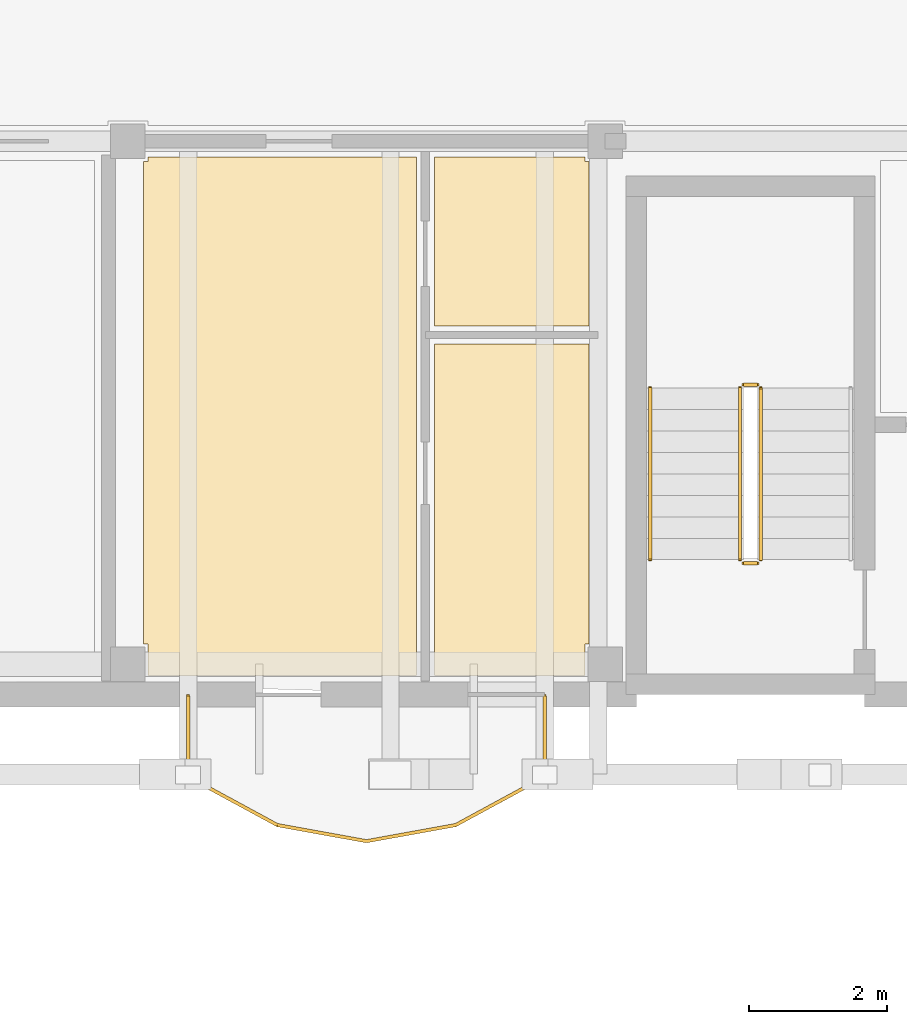
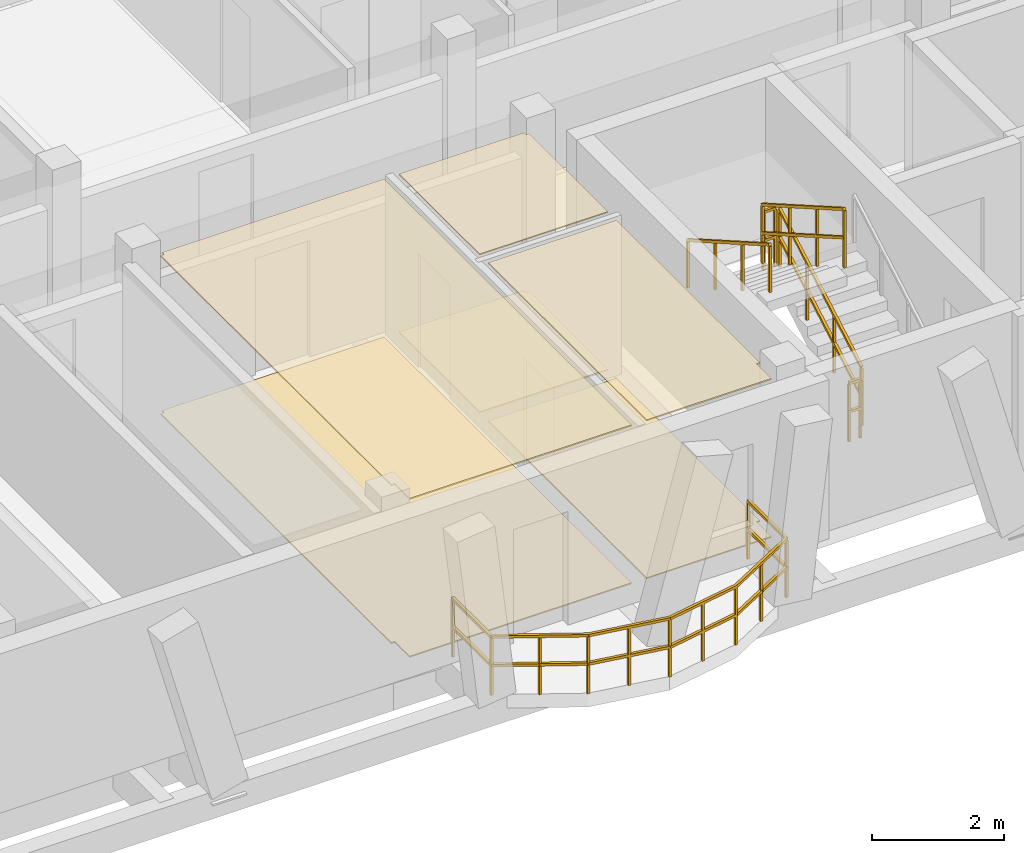
# One storey, part 95 of 109: 6 coverings, 6 railings.
"""IFC4 building model written with IfcOpenShell, lengths in metres."""

import ifcopenshell
import ifcopenshell.guid

model = None  # the IFC model being written
_history = None  # IfcOwnerHistory: only IFC2X3 demands one
_inside = {}  # id of a spatial element -> (the spatial element, [elements in it])
_under = {}  # id of a project, library or spatial element -> (it, [spatial elements below it])
_declared = {}  # id of a project -> (the project, [libraries it declares])
_typed = {}  # id of a type object -> (the type object, [elements of that type])
_made_of = {}  # id of a material, layer set ... -> (it, [elements and type objects made of it])


def new_model(schema):
    """Start an empty IFC model of exactly this schema.

    Asked for "IFC4X3", IfcOpenShell would pick the latest addendum, in which some entities
    have other attributes; the version numbers below select the first issue.
    IFC2X3 requires an IfcOwnerHistory on every rooted entity: one is made here for all.
    """
    global model, _history
    if schema == "IFC4X3":
        model = ifcopenshell.file(schema_version=(4, 3, 0, 0))
    else:
        model = ifcopenshell.file(schema=schema)
    _inside.clear()
    _under.clear()
    _declared.clear()
    _typed.clear()
    _made_of.clear()
    _history = None
    if model.schema == "IFC2X3":
        org = make("IfcOrganization", Name="unknown")
        user = make(
            "IfcPersonAndOrganization",
            ThePerson=make("IfcPerson", FamilyName="unknown"),
            TheOrganization=org,
        )
        app = make(
            "IfcApplication",
            ApplicationDeveloper=org,
            Version="unknown",
            ApplicationFullName="unknown",
            ApplicationIdentifier="unknown",
        )
        _history = make(
            "IfcOwnerHistory",
            OwningUser=user,
            OwningApplication=app,
            ChangeAction="ADDED",
            CreationDate=0,
        )
    return model


def make(cls, **values):
    """One entity of the class cls with the attributes given. An attribute that is None is left unset."""
    return model.create_entity(
        cls, **{name: value for name, value in values.items() if value is not None}
    )


def rooted(cls, **values):
    """An entity with a GlobalId (a new one), such as an element, a storey or a relation."""
    return make(cls, GlobalId=ifcopenshell.guid.new(), OwnerHistory=_history, **values)


def si_unit(unit_type, name, prefix=None):
    """IfcSIUnit, for example si_unit("LENGTHUNIT", "METRE", prefix="MILLI")."""
    return make("IfcSIUnit", UnitType=unit_type, Prefix=prefix, Name=name)


def assignment(units):
    """IfcUnitAssignment: the units of a project."""
    return None if units is None else make("IfcUnitAssignment", Units=units)


def point(xyz):
    """IfcCartesianPoint."""
    return None if xyz is None else make("IfcCartesianPoint", Coordinates=xyz)


def direction(xyz):
    """IfcDirection."""
    return None if xyz is None else make("IfcDirection", DirectionRatios=xyz)


def frame(location, z_axis=None, x_axis=None):
    """IfcAxis2Placement3D, a coordinate frame: its origin and axes. An axis left out is left unset."""
    return make(
        "IfcAxis2Placement3D",
        Location=point(location),
        Axis=direction(z_axis),
        RefDirection=direction(x_axis),
    )


def frame_2d(location, x_axis=None):
    """IfcAxis2Placement2D, a coordinate frame in the plane: its origin and x axis."""
    return make(
        "IfcAxis2Placement2D", Location=point(location), RefDirection=direction(x_axis)
    )


def origin():
    """The frame at (0, 0, 0) with its axes left unset."""
    return frame((0.0, 0.0, 0.0))


def origin_2d():
    """The frame at (0, 0) in the plane with its x axis left unset."""
    return frame_2d((0.0, 0.0))


def place(relative_to, where):
    """IfcLocalPlacement: puts the frame where relative to a parent placement (None: the world)."""
    return make(
        "IfcLocalPlacement", PlacementRelTo=relative_to, RelativePlacement=where
    )


def context(
    kind, dimensions, precision=None, world=None, true_north=None, identifier=None
):
    """IfcGeometricRepresentationContext, for example the 3D "Model" context."""
    return make(
        "IfcGeometricRepresentationContext",
        ContextIdentifier=identifier,
        ContextType=kind,
        CoordinateSpaceDimension=dimensions,
        Precision=precision,
        WorldCoordinateSystem=world,
        TrueNorth=true_north,
    )


def subcontext(parent, identifier, kind, view, scale=None):
    """IfcGeometricRepresentationSubContext, for example "Body" below "Model"."""
    return make(
        "IfcGeometricRepresentationSubContext",
        ContextIdentifier=identifier,
        ContextType=kind,
        ParentContext=parent,
        TargetScale=scale,
        TargetView=view,
    )


def project(units=None, contexts=None):
    """IfcProject with its units and contexts."""
    return rooted(
        "IfcProject",
        Name="project",
        RepresentationContexts=contexts,
        UnitsInContext=assignment(units),
    )


def spatial(cls, under=None, at=None, **own):
    """A site, building, storey or space (cls), placed at a placement, below another one or the project."""
    s = rooted(cls, ObjectPlacement=at, **own)
    if under is not None:
        _under.setdefault(under.id(), (under, []))[1].append(s)
    return s


def polyline(points):
    """IfcPolyline through the points."""
    return make("IfcPolyline", Points=[point(p) for p in points])


def profile(cls, at=None, kind="AREA", **sizes):
    """A parametric profile (cls). Its sizes go by their IFC names, for example OverallWidth=200.0."""
    return make(cls, ProfileType=kind, Position=at, **sizes)


def rectangle(**sizes):
    """IfcRectangleProfileDef."""
    return profile("IfcRectangleProfileDef", **sizes)


def outline(outer, holes=None, kind="AREA"):
    """IfcArbitraryClosedProfileDef: a profile drawn as a closed curve; with holes, ...WithVoids."""
    if holes is None:
        return make("IfcArbitraryClosedProfileDef", ProfileType=kind, OuterCurve=outer)
    return make(
        "IfcArbitraryProfileDefWithVoids",
        ProfileType=kind,
        OuterCurve=outer,
        InnerCurves=holes,
    )


def extrude(swept, where, along, depth):
    """IfcExtrudedAreaSolid: the profile swept, set in the frame where, extruded along a direction by depth."""
    return make(
        "IfcExtrudedAreaSolid",
        SweptArea=swept,
        Position=where,
        ExtrudedDirection=direction(along),
        Depth=depth,
    )


def shape(context_of_items, identifier, shape_type, items):
    """IfcShapeRepresentation: the items that make up one representation, for example the "Body"."""
    return make(
        "IfcShapeRepresentation",
        ContextOfItems=context_of_items,
        RepresentationIdentifier=identifier,
        RepresentationType=shape_type,
        Items=items,
    )


def material(Name=None, Category=None):
    """IfcMaterial."""
    return make("IfcMaterial", Name=Name, Category=Category)


def layer(
    of_material, thickness, ventilated=None, Name=None, Category=None, Priority=None
):
    """IfcMaterialLayer: one layer of a wall or slab, of a material (None: an air gap)."""
    return make(
        "IfcMaterialLayer",
        Material=of_material,
        LayerThickness=thickness,
        IsVentilated=ventilated,
        Name=Name,
        Category=Category,
        Priority=Priority,
    )


def layer_set(layers, Name=None):
    """IfcMaterialLayerSet."""
    return make("IfcMaterialLayerSet", MaterialLayers=layers, LayerSetName=Name)


def made_of(thing, what):
    """Note that an element or type object is made of a material, layer set ...; save() writes the relation."""
    if what is not None:
        _made_of.setdefault(what.id(), (what, []))[1].append(thing)
    return thing


def type_object(cls, material=None, **own):
    """A type object (cls), such as IfcWallType, which elements share."""
    return made_of(rooted(cls, **own), material)


def element(
    cls,
    number,
    at=None,
    inside=None,
    cuts=None,
    type_object=None,
    material=None,
    context=None,
    identifier="Body",
    shape_type=None,
    held_by="IfcProductDefinitionShape",
    body=None,
    shapes=None,
    **own,
):
    """One element of the class cls, such as IfcWall. Its Tag is "e" and its number.

    at: its placement. inside: the storey or other place that contains it. cuts: it is an
    opening in that element (IfcRelVoidsElement). A single representation is given by context,
    identifier, shape_type and body (its items); several are given by shapes. held_by: the class
    of the entity that holds the representations. save() writes the other relations.
    """
    e = rooted(cls, Tag="e%d" % number, ObjectPlacement=at, **own)
    if body is not None:
        shapes = [shape(context, identifier, shape_type, body)]
    if shapes is not None:
        e.Representation = make(held_by, Representations=shapes)
    if inside is not None:
        _inside.setdefault(inside.id(), (inside, []))[1].append(e)
    if cuts is not None:
        rooted(
            "IfcRelVoidsElement", RelatingBuildingElement=cuts, RelatedOpeningElement=e
        )
    if type_object is not None:
        _typed.setdefault(type_object.id(), (type_object, []))[1].append(e)
    return made_of(e, material)


def aggregate(whole, parts):
    """IfcRelAggregates: a whole, such as a stair, and the parts it consists of."""
    return rooted("IfcRelAggregates", RelatingObject=whole, RelatedObjects=parts)


def save(model, path):
    """Write the relations noted so far, then the file.

    IfcRelAggregates (storeys below a building ...), IfcRelContainedInSpatialStructure (elements
    in a storey), IfcRelDefinesByType, IfcRelAssociatesMaterial and IfcRelDeclares: one each for
    every whole, place, type object, material and project.
    """
    for whole, parts in _under.values():
        aggregate(whole, parts)
    for where, things in _inside.values():
        rooted(
            "IfcRelContainedInSpatialStructure",
            RelatedElements=things,
            RelatingStructure=where,
        )
    for kind, things in _typed.values():
        rooted("IfcRelDefinesByType", RelatedObjects=things, RelatingType=kind)
    for what, things in _made_of.values():
        rooted("IfcRelAssociatesMaterial", RelatedObjects=things, RelatingMaterial=what)
    for by, libraries in _declared.values():
        rooted("IfcRelDeclares", RelatingContext=by, RelatedDefinitions=libraries)
    model.write(path)


model = new_model("IFC4")

# Units and contexts
model_context = context("Model", 3, precision=1e-05, world=origin(), true_north=direction((0.0, 1.0)))
body_context = subcontext(model_context, "Body", "Model", "MODEL_VIEW")
ifc_project = project(units=[si_unit("LENGTHUNIT", "METRE"), si_unit("AREAUNIT", "SQUARE_METRE"), si_unit("VOLUMEUNIT", "CUBIC_METRE"), si_unit("PLANEANGLEUNIT", "RADIAN"), si_unit("MASSUNIT", "GRAM", prefix="KILO")], contexts=[model_context])

# Site, building, storey
site_placement = place(None, origin())
site = spatial("IfcSite", under=ifc_project, at=site_placement, CompositionType="ELEMENT")
building_placement = place(site_placement, origin())
building = spatial("IfcBuilding", under=site, at=building_placement, Name="Zavelmont Quarter", CompositionType="ELEMENT")
storey_placement = place(building_placement, frame((0.0, 0.0, 8.0)))
storey = spatial("IfcBuildingStorey", under=building, at=storey_placement, Name="L02", CompositionType="ELEMENT", Elevation=8.0)

# Coverings
ifc_material_1 = material(Name="Perforated acoustic gypsum board")
ifc_layer_1 = layer(ifc_material_1, 0.02490234375)
ifc_layer_set_1 = layer_set([ifc_layer_1], Name="Perforated acoustic gypsum board")
covering_type_1 = type_object("IfcCoveringType", Name="CV-CL01", PredefinedType="CEILING", material=ifc_layer_set_1)
covering_1_placement = place(storey_placement, frame((0.0, 0.0, 2.9150390625)))
element("IfcCovering", 1, at=covering_1_placement, inside=storey, type_object=covering_type_1, Name="L02 Residents Study Lounge acoustic ceiling", PredefinedType="CEILING", context=body_context, shape_type="SweptSolid", body=[
    extrude(outline(polyline([(20.929931640625, 105.31005859375), (20.989990234375, 105.31005859375), (20.989990234375, 105.3701171875), (24.8701171875, 105.3701171875), (24.8701171875, 97.8798828125), (20.989990234375, 97.8798828125), (20.989990234375, 98.330078125), (20.929931640625, 98.330078125), (20.929931640625, 105.31005859375)])), origin(), (0.0, 0.0, 1.0), 0.02490234375),
])
covering_2_placement = place(storey_placement, frame((0.0, 0.0, 2.9150390625)))
element("IfcCovering", 2, at=covering_2_placement, inside=storey, type_object=covering_type_1, Name="L02 Reading Alcove acoustic ceiling", PredefinedType="CEILING", context=body_context, shape_type="SweptSolid", body=[
    extrude(outline(polyline([(25.1298828125, 102.669921875), (27.3701171875, 102.669921875), (27.3701171875, 98.330078125), (27.31005859375, 98.330078125), (27.31005859375, 97.8798828125), (25.1298828125, 97.8798828125), (25.1298828125, 102.669921875)])), origin(), (0.0, 0.0, 1.0), 0.02490234375),
])
ifc_material_2 = material(Name="Moisture-resistant painted gypsum ceiling")
ifc_layer_2 = layer(ifc_material_2, 0.02001953125)
ifc_layer_set_2 = layer_set([ifc_layer_2], Name="Moisture-resistant painted gypsum ceiling")
covering_type_2 = type_object("IfcCoveringType", Name="CV-CL04", PredefinedType="CEILING", material=ifc_layer_set_2)
covering_3_placement = place(storey_placement, frame((0.0, 0.0, 2.919921875)))
element("IfcCovering", 3, at=covering_3_placement, inside=storey, type_object=covering_type_2, Name="L02 Accessible Toilet acoustic ceiling", PredefinedType="CEILING", context=body_context, shape_type="SweptSolid", body=[
    extrude(outline(polyline([(25.1298828125, 105.3701171875), (27.31005859375, 105.3701171875), (27.31005859375, 105.31005859375), (27.3701171875, 105.31005859375), (27.3701171875, 102.929931640625), (25.1298828125, 102.929931640625), (25.1298828125, 105.3701171875)])), origin(), (0.0, 0.0, 1.0), 0.02001953125),
])
ifc_material_3 = material(Name="Engineered European oak parquet")
ifc_layer_3 = layer(ifc_material_3, 0.02197265625)
ifc_layer_set_3 = layer_set([ifc_layer_3], Name="Engineered European oak parquet")
covering_type_3 = type_object("IfcCoveringType", Name="CV-FL01", PredefinedType="FLOORING", material=ifc_layer_set_3)
covering_4_placement = place(storey_placement, origin())
element("IfcCovering", 4, at=covering_4_placement, inside=storey, type_object=covering_type_3, Name="L02 Residents Study Lounge floor finish", PredefinedType="FLOORING", context=body_context, shape_type="SweptSolid", body=[
    extrude(outline(polyline([(20.929931640625, 105.31005859375), (20.989990234375, 105.31005859375), (20.989990234375, 105.3701171875), (24.8701171875, 105.3701171875), (24.8701171875, 97.8798828125), (20.989990234375, 97.8798828125), (20.989990234375, 98.330078125), (20.929931640625, 98.330078125), (20.929931640625, 105.31005859375)])), origin(), (0.0, 0.0, 1.0), 0.02197265625),
])
covering_5_placement = place(storey_placement, origin())
element("IfcCovering", 5, at=covering_5_placement, inside=storey, type_object=covering_type_3, Name="L02 Reading Alcove floor finish", PredefinedType="FLOORING", context=body_context, shape_type="SweptSolid", body=[
    extrude(outline(polyline([(25.1298828125, 102.669921875), (27.3701171875, 102.669921875), (27.3701171875, 98.330078125), (27.31005859375, 98.330078125), (27.31005859375, 97.8798828125), (25.1298828125, 97.8798828125), (25.1298828125, 102.669921875)])), origin(), (0.0, 0.0, 1.0), 0.02197265625),
])
ifc_material_4 = material(Name="Slip-resistant porcelain tile")
ifc_layer_4 = layer(ifc_material_4, 0.02587890625)
ifc_layer_set_4 = layer_set([ifc_layer_4], Name="Slip-resistant porcelain tile")
covering_type_4 = type_object("IfcCoveringType", Name="CV-FL04", PredefinedType="FLOORING", material=ifc_layer_set_4)
covering_6_placement = place(storey_placement, origin())
element("IfcCovering", 6, at=covering_6_placement, inside=storey, type_object=covering_type_4, Name="L02 Accessible Toilet floor finish", PredefinedType="FLOORING", context=body_context, shape_type="SweptSolid", body=[
    extrude(outline(polyline([(25.1298828125, 105.3701171875), (27.31005859375, 105.3701171875), (27.31005859375, 105.31005859375), (27.3701171875, 105.31005859375), (27.3701171875, 102.929931640625), (25.1298828125, 102.929931640625), (25.1298828125, 105.3701171875)])), origin(), (0.0, 0.0, 1.0), 0.02587890625),
])

# Railings
ifc_material_5 = material(Name="Powder-coated steel and tempered double safety glass", Category="steel")
railing_type_1 = type_object("IfcRailingType", Name="RL-BAL1", PredefinedType="BALUSTRADE", material=ifc_material_5)
railing_1_placement = place(storey_placement, frame((21.572509765625, 97.580078125, 0.0)))
element("IfcRailing", 7, at=railing_1_placement, inside=storey, type_object=railing_type_1, Name="L02 Block B curved balcony guard RL-BAL1", PredefinedType="BALUSTRADE", context=body_context, shape_type="SweptSolid", body=[
    extrude(rectangle(XDim=0.048095703125, YDim=0.048095703125, at=origin_2d()), frame((0.0, 0.0, 1.076171875), z_axis=(0.0, -1.0, 0.0), x_axis=(1.0, 0.0, 0.0)), (0.0, 0.0, 1.0), 1.166748046875),
    extrude(rectangle(XDim=0.048095703125, YDim=0.048095703125, at=origin_2d()), frame((0.0, 0.0, 0.550048828125), z_axis=(0.0, -1.0, 0.0), x_axis=(1.0, 0.0, 0.0)), (0.0, 0.0, 1.0), 1.166748046875),
    extrude(rectangle(XDim=0.048095703125, YDim=0.048095703125, at=origin_2d()), frame((0.0, -1.166748046875, 1.076171875), z_axis=(0.878937207337, -0.476937506975, 0.0), x_axis=(0.476937506975, 0.878937207337, 0.0)), (0.0, 0.0, 1.0), 1.466064453125),
    extrude(rectangle(XDim=0.048095703125, YDim=0.048095703125, at=origin_2d()), frame((0.0, -1.166748046875, 0.550048828125), z_axis=(0.878937207337, -0.476937506975, 0.0), x_axis=(0.476937506975, 0.878937207337, 0.0)), (0.0, 0.0, 1.0), 1.466064453125),
    extrude(rectangle(XDim=0.048095703125, YDim=0.048095703125, at=origin_2d()), frame((1.28857421875, -1.865966796875, 1.076171875), z_axis=(0.984027596719, -0.178015979327, 0.0), x_axis=(0.178015979327, 0.984027596719, 0.0)), (0.0, 0.0, 1.0), 1.309814453125),
    extrude(rectangle(XDim=0.048095703125, YDim=0.048095703125, at=origin_2d()), frame((1.28857421875, -1.865966796875, 0.550048828125), z_axis=(0.984027596719, -0.178015979327, 0.0), x_axis=(0.178015979327, 0.984027596719, 0.0)), (0.0, 0.0, 1.0), 1.309814453125),
    extrude(rectangle(XDim=0.048095703125, YDim=0.048095703125, at=origin_2d()), frame((2.577392578125, -2.09912109375, 1.076171875), z_axis=(0.984027596719, 0.178015979327, 0.0), x_axis=(-0.178015979327, 0.984027596719, 0.0)), (0.0, 0.0, 1.0), 1.309814453125),
    extrude(rectangle(XDim=0.048095703125, YDim=0.048095703125, at=origin_2d()), frame((2.577392578125, -2.09912109375, 0.550048828125), z_axis=(0.984027596719, 0.178015979327, 0.0), x_axis=(-0.178015979327, 0.984027596719, 0.0)), (0.0, 0.0, 1.0), 1.309814453125),
    extrude(rectangle(XDim=0.048095703125, YDim=0.048095703125, at=origin_2d()), frame((3.8662109375, -1.865966796875, 1.076171875), z_axis=(0.878975079148, 0.47686770727, 0.0), x_axis=(-0.47686770727, 0.878975079148, 0.0)), (0.0, 0.0, 1.0), 1.46630859375),
    extrude(rectangle(XDim=0.048095703125, YDim=0.048095703125, at=origin_2d()), frame((3.8662109375, -1.865966796875, 0.550048828125), z_axis=(0.878975079148, 0.47686770727, 0.0), x_axis=(-0.47686770727, 0.878975079148, 0.0)), (0.0, 0.0, 1.0), 1.46630859375),
    extrude(rectangle(XDim=0.048095703125, YDim=0.048095703125, at=origin_2d()), frame((5.155029296875, -1.166748046875, 1.076171875), z_axis=(0.0, 1.0, 0.0), x_axis=(-1.0, 0.0, 0.0)), (0.0, 0.0, 1.0), 1.166748046875),
    extrude(rectangle(XDim=0.048095703125, YDim=0.048095703125, at=origin_2d()), frame((5.155029296875, -1.166748046875, 0.550048828125), z_axis=(0.0, 1.0, 0.0), x_axis=(-1.0, 0.0, 0.0)), (0.0, 0.0, 1.0), 1.166748046875),
    extrude(rectangle(XDim=0.0419921875, YDim=0.0419921875, at=origin_2d()), origin(), (0.0, 0.0, 1.0), 1.052001953125),
    extrude(rectangle(XDim=0.0419921875, YDim=0.0419921875, at=origin_2d()), frame((0.0, -1.166748046875, 0.0)), (0.0, 0.0, 1.0), 1.052001953125),
    extrude(rectangle(XDim=0.0419921875, YDim=0.0419921875, at=origin_2d()), frame((0.644287109375, -1.516357421875, 0.0)), (0.0, 0.0, 1.0), 1.052001953125),
    extrude(rectangle(XDim=0.0419921875, YDim=0.0419921875, at=origin_2d()), frame((1.28857421875, -1.865966796875, 0.0)), (0.0, 0.0, 1.0), 1.052001953125),
    extrude(rectangle(XDim=0.0419921875, YDim=0.0419921875, at=origin_2d()), frame((1.93310546875, -1.982421875, 0.0)), (0.0, 0.0, 1.0), 1.052001953125),
    extrude(rectangle(XDim=0.0419921875, YDim=0.0419921875, at=origin_2d()), frame((2.577392578125, -2.09912109375, 0.0)), (0.0, 0.0, 1.0), 1.052001953125),
    extrude(rectangle(XDim=0.0419921875, YDim=0.0419921875, at=origin_2d()), frame((3.2216796875, -1.982421875, 0.0)), (0.0, 0.0, 1.0), 1.052001953125),
    extrude(rectangle(XDim=0.0419921875, YDim=0.0419921875, at=origin_2d()), frame((3.8662109375, -1.865966796875, 0.0)), (0.0, 0.0, 1.0), 1.052001953125),
    extrude(rectangle(XDim=0.0419921875, YDim=0.0419921875, at=origin_2d()), frame((4.5107421875, -1.516357421875, 0.0)), (0.0, 0.0, 1.0), 1.052001953125),
    extrude(rectangle(XDim=0.0419921875, YDim=0.0419921875, at=origin_2d()), frame((5.155029296875, -1.166748046875, 0.0)), (0.0, 0.0, 1.0), 1.052001953125),
    extrude(rectangle(XDim=0.0419921875, YDim=0.0419921875, at=origin_2d()), frame((5.155029296875, 0.0, 0.0)), (0.0, 0.0, 1.0), 1.052001953125),
])
ifc_material_6 = material(Name="Powder-coated steel stair guardrail", Category="steel")
railing_type_2 = type_object("IfcRailingType", Name="RL-GRD1", PredefinedType="GUARDRAIL", material=ifc_material_6)
railing_2_placement = place(storey_placement, frame((29.85009765625, 99.550048828125, 0.177734375)))
element("IfcRailing", 8, at=railing_2_placement, inside=storey, type_object=railing_type_2, Name="L02 ST04 stair guardrail 1", PredefinedType="GUARDRAIL", context=body_context, shape_type="SweptSolid", body=[
    extrude(rectangle(XDim=0.048095703125, YDim=0.048095703125, at=origin_2d()), frame((0.0, 0.0, 1.076171875), z_axis=(0.0, 0.867453774394, 0.497517787913), x_axis=(-1.0, 0.0, 0.0)), (0.0, 0.0, 1.0), 2.85888671875),
    extrude(rectangle(XDim=0.048095703125, YDim=0.048095703125, at=origin_2d()), frame((0.0, 0.0, 0.550048828125), z_axis=(0.0, 0.867453774394, 0.497517787913), x_axis=(-1.0, 0.0, 0.0)), (0.0, 0.0, 1.0), 2.85888671875),
    extrude(rectangle(XDim=0.0419921875, YDim=0.0419921875, at=origin_2d()), origin(), (0.0, 0.0, 1.0), 1.052001953125),
    extrude(rectangle(XDim=0.0419921875, YDim=0.0419921875, at=origin_2d()), frame((0.0, 0.82666015625, 0.47412109375)), (0.0, 0.0, 1.0), 1.052001953125),
    extrude(rectangle(XDim=0.0419921875, YDim=0.0419921875, at=origin_2d()), frame((0.0, 1.6533203125, 0.9482421875)), (0.0, 0.0, 1.0), 1.052001953125),
    extrude(rectangle(XDim=0.0419921875, YDim=0.0419921875, at=origin_2d()), frame((0.0, 2.47998046875, 1.42236328125)), (0.0, 0.0, 1.0), 1.052001953125),
])
railing_3_placement = place(storey_placement, frame((29.800048828125, 102.080078125, 1.60009765625)))
element("IfcRailing", 9, at=railing_3_placement, inside=storey, type_object=railing_type_2, Name="L02 ST04 stair guardrail 2", PredefinedType="GUARDRAIL", context=body_context, shape_type="SweptSolid", body=[
    extrude(rectangle(XDim=0.048095703125, YDim=0.048095703125, at=origin_2d()), frame((0.0, 0.0, 1.076171875), z_axis=(-1.0, 0.0, 0.0), x_axis=(0.0, -1.0, 0.0)), (0.0, 0.0, 1.0), 0.199951171875),
    extrude(rectangle(XDim=0.048095703125, YDim=0.048095703125, at=origin_2d()), frame((0.0, 0.0, 0.550048828125), z_axis=(-1.0, 0.0, 0.0), x_axis=(0.0, -1.0, 0.0)), (0.0, 0.0, 1.0), 0.199951171875),
    extrude(rectangle(XDim=0.0419921875, YDim=0.0419921875, at=origin_2d()), origin(), (0.0, 0.0, 1.0), 1.052001953125),
    extrude(rectangle(XDim=0.0419921875, YDim=0.0419921875, at=origin_2d()), frame((-0.199951171875, 0.0, 0.0)), (0.0, 0.0, 1.0), 1.052001953125),
])
railing_4_placement = place(storey_placement, frame((29.550048828125, 102.030029296875, 1.77783203125)))
element("IfcRailing", 10, at=railing_4_placement, inside=storey, type_object=railing_type_2, Name="L02 ST04 stair guardrail 3", PredefinedType="GUARDRAIL", context=body_context, shape_type="SweptSolid", body=[
    extrude(rectangle(XDim=0.048095703125, YDim=0.048095703125, at=origin_2d()), frame((0.0, 0.0, 1.076171875), z_axis=(0.0, -0.867490628297, 0.497453525283), x_axis=(1.0, 0.0, 0.0)), (0.0, 0.0, 1.0), 2.85888671875),
    extrude(rectangle(XDim=0.048095703125, YDim=0.048095703125, at=origin_2d()), frame((0.0, 0.0, 0.550048828125), z_axis=(0.0, -0.867490628297, 0.497453525283), x_axis=(1.0, 0.0, 0.0)), (0.0, 0.0, 1.0), 2.85888671875),
    extrude(rectangle(XDim=0.0419921875, YDim=0.0419921875, at=origin_2d()), origin(), (0.0, 0.0, 1.0), 1.052001953125),
    extrude(rectangle(XDim=0.0419921875, YDim=0.0419921875, at=origin_2d()), frame((0.0, -0.82666015625, 0.47412109375)), (0.0, 0.0, 1.0), 1.052001953125),
    extrude(rectangle(XDim=0.0419921875, YDim=0.0419921875, at=origin_2d()), frame((0.0, -1.6533203125, 0.947998046875)), (0.0, 0.0, 1.0), 1.052001953125),
    extrude(rectangle(XDim=0.0419921875, YDim=0.0419921875, at=origin_2d()), frame((0.0, -2.47998046875, 1.422119140625)), (0.0, 0.0, 1.0), 1.052001953125),
])
railing_5_placement = place(storey_placement, frame((29.800048828125, 99.5, 0.0)))
element("IfcRailing", 11, at=railing_5_placement, inside=storey, type_object=railing_type_2, Name="L02 ST04 stair guardrail 4", PredefinedType="GUARDRAIL", context=body_context, shape_type="SweptSolid", body=[
    extrude(rectangle(XDim=0.048095703125, YDim=0.048095703125, at=origin_2d()), frame((0.0, 0.0, 1.076171875), z_axis=(-1.0, 0.0, 0.0), x_axis=(0.0, -1.0, 0.0)), (0.0, 0.0, 1.0), 0.199951171875),
    extrude(rectangle(XDim=0.048095703125, YDim=0.048095703125, at=origin_2d()), frame((0.0, 0.0, 0.550048828125), z_axis=(-1.0, 0.0, 0.0), x_axis=(0.0, -1.0, 0.0)), (0.0, 0.0, 1.0), 0.199951171875),
    extrude(rectangle(XDim=0.0419921875, YDim=0.0419921875, at=origin_2d()), origin(), (0.0, 0.0, 1.0), 1.052001953125),
    extrude(rectangle(XDim=0.0419921875, YDim=0.0419921875, at=origin_2d()), frame((-0.199951171875, 0.0, 0.0)), (0.0, 0.0, 1.0), 1.052001953125),
])
ifc_material_7 = material(Name="Brushed stainless-steel wall handrail", Category="steel")
railing_type_3 = type_object("IfcRailingType", Name="RL-HND1", PredefinedType="HANDRAIL", material=ifc_material_7)
railing_6_placement = place(storey_placement, frame((28.25, 102.030029296875, 1.77783203125)))
element("IfcRailing", 12, at=railing_6_placement, inside=storey, type_object=railing_type_3, Name="L02 ST04 stair handrail 2", PredefinedType="HANDRAIL", context=body_context, shape_type="SweptSolid", body=[
    extrude(rectangle(XDim=0.048095703125, YDim=0.048095703125, at=origin_2d()), frame((0.0, 0.0, 0.8759765625), z_axis=(0.0, -0.867490628297, 0.497453525283), x_axis=(1.0, 0.0, 0.0)), (0.0, 0.0, 1.0), 2.85888671875),
    extrude(rectangle(XDim=0.0419921875, YDim=0.0419921875, at=origin_2d()), origin(), (0.0, 0.0, 1.0), 0.851806640625),
    extrude(rectangle(XDim=0.0419921875, YDim=0.0419921875, at=origin_2d()), frame((0.0, -0.82666015625, 0.47412109375)), (0.0, 0.0, 1.0), 0.851806640625),
    extrude(rectangle(XDim=0.0419921875, YDim=0.0419921875, at=origin_2d()), frame((0.0, -1.6533203125, 0.947998046875)), (0.0, 0.0, 1.0), 0.851806640625),
    extrude(rectangle(XDim=0.0419921875, YDim=0.0419921875, at=origin_2d()), frame((0.0, -2.47998046875, 1.422119140625)), (0.0, 0.0, 1.0), 0.851806640625),
])

save(model, "model.ifc")
